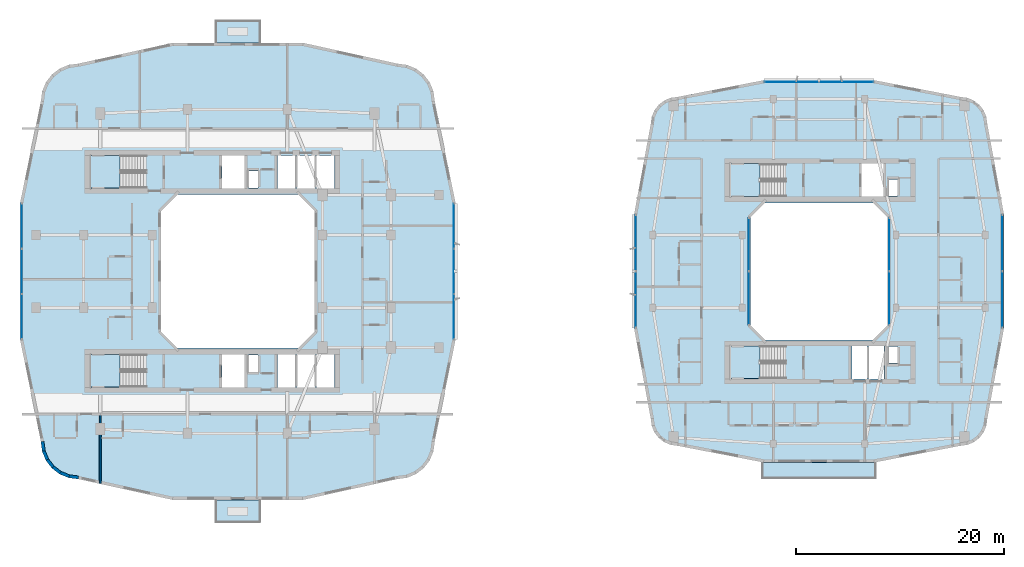
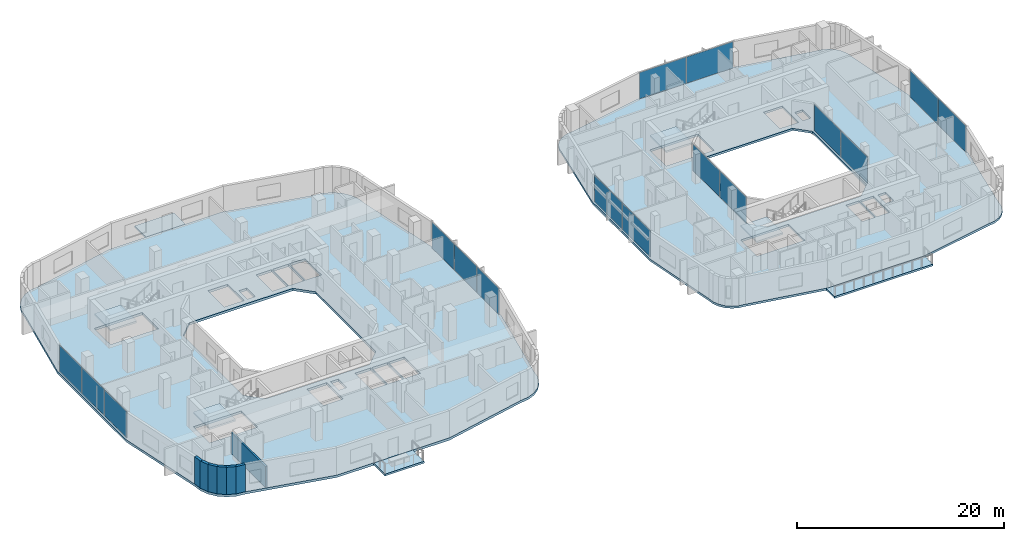
# One storey, part 8 of 24: 16 plates, 9 slabs, 7 walls, 11 elements without a shape of their own.
"""IFC4 building model written with IfcOpenShell, lengths in metres."""

import ifcopenshell
import ifcopenshell.guid

model = None  # the IFC model being written
_history = None  # IfcOwnerHistory: only IFC2X3 demands one
_inside = {}  # id of a spatial element -> (the spatial element, [elements in it])
_under = {}  # id of a project, library or spatial element -> (it, [spatial elements below it])
_declared = {}  # id of a project -> (the project, [libraries it declares])
_typed = {}  # id of a type object -> (the type object, [elements of that type])
_made_of = {}  # id of a material, layer set ... -> (it, [elements and type objects made of it])


def new_model(schema):
    """Start an empty IFC model of exactly this schema.

    Asked for "IFC4X3", IfcOpenShell would pick the latest addendum, in which some entities
    have other attributes; the version numbers below select the first issue.
    IFC2X3 requires an IfcOwnerHistory on every rooted entity: one is made here for all.
    """
    global model, _history
    if schema == "IFC4X3":
        model = ifcopenshell.file(schema_version=(4, 3, 0, 0))
    else:
        model = ifcopenshell.file(schema=schema)
    _inside.clear()
    _under.clear()
    _declared.clear()
    _typed.clear()
    _made_of.clear()
    _history = None
    if model.schema == "IFC2X3":
        org = make("IfcOrganization", Name="unknown")
        user = make(
            "IfcPersonAndOrganization",
            ThePerson=make("IfcPerson", FamilyName="unknown"),
            TheOrganization=org,
        )
        app = make(
            "IfcApplication",
            ApplicationDeveloper=org,
            Version="unknown",
            ApplicationFullName="unknown",
            ApplicationIdentifier="unknown",
        )
        _history = make(
            "IfcOwnerHistory",
            OwningUser=user,
            OwningApplication=app,
            ChangeAction="ADDED",
            CreationDate=0,
        )
    return model


def make(cls, **values):
    """One entity of the class cls with the attributes given. An attribute that is None is left unset."""
    return model.create_entity(
        cls, **{name: value for name, value in values.items() if value is not None}
    )


def rooted(cls, **values):
    """An entity with a GlobalId (a new one), such as an element, a storey or a relation."""
    return make(cls, GlobalId=ifcopenshell.guid.new(), OwnerHistory=_history, **values)


def si_unit(unit_type, name, prefix=None):
    """IfcSIUnit, for example si_unit("LENGTHUNIT", "METRE", prefix="MILLI")."""
    return make("IfcSIUnit", UnitType=unit_type, Prefix=prefix, Name=name)


def derived_unit(unit_type, elements):
    """IfcDerivedUnit: a product of units, each with its exponent."""
    return make(
        "IfcDerivedUnit",
        Elements=[
            make("IfcDerivedUnitElement", Unit=unit, Exponent=power)
            for unit, power in elements
        ],
        UnitType=unit_type,
    )


def assignment(units):
    """IfcUnitAssignment: the units of a project."""
    return None if units is None else make("IfcUnitAssignment", Units=units)


def point(xyz):
    """IfcCartesianPoint."""
    return None if xyz is None else make("IfcCartesianPoint", Coordinates=xyz)


def direction(xyz):
    """IfcDirection."""
    return None if xyz is None else make("IfcDirection", DirectionRatios=xyz)


def frame(location, z_axis=None, x_axis=None):
    """IfcAxis2Placement3D, a coordinate frame: its origin and axes. An axis left out is left unset."""
    return make(
        "IfcAxis2Placement3D",
        Location=point(location),
        Axis=direction(z_axis),
        RefDirection=direction(x_axis),
    )


def frame_2d(location, x_axis=None):
    """IfcAxis2Placement2D, a coordinate frame in the plane: its origin and x axis."""
    return make(
        "IfcAxis2Placement2D", Location=point(location), RefDirection=direction(x_axis)
    )


def origin():
    """The frame at (0, 0, 0) with its axes left unset."""
    return frame((0.0, 0.0, 0.0))


def origin_2d():
    """The frame at (0, 0) in the plane with its x axis left unset."""
    return frame_2d((0.0, 0.0))


def place(relative_to, where):
    """IfcLocalPlacement: puts the frame where relative to a parent placement (None: the world)."""
    return make(
        "IfcLocalPlacement", PlacementRelTo=relative_to, RelativePlacement=where
    )


def context(
    kind, dimensions, precision=None, world=None, true_north=None, identifier=None
):
    """IfcGeometricRepresentationContext, for example the 3D "Model" context."""
    return make(
        "IfcGeometricRepresentationContext",
        ContextIdentifier=identifier,
        ContextType=kind,
        CoordinateSpaceDimension=dimensions,
        Precision=precision,
        WorldCoordinateSystem=world,
        TrueNorth=true_north,
    )


def subcontext(parent, identifier, kind, view, scale=None):
    """IfcGeometricRepresentationSubContext, for example "Body" below "Model"."""
    return make(
        "IfcGeometricRepresentationSubContext",
        ContextIdentifier=identifier,
        ContextType=kind,
        ParentContext=parent,
        TargetScale=scale,
        TargetView=view,
    )


def project(units=None, contexts=None):
    """IfcProject with its units and contexts."""
    return rooted(
        "IfcProject",
        Name="project",
        RepresentationContexts=contexts,
        UnitsInContext=assignment(units),
    )


def spatial(cls, under=None, at=None, **own):
    """A site, building, storey or space (cls), placed at a placement, below another one or the project."""
    s = rooted(cls, ObjectPlacement=at, **own)
    if under is not None:
        _under.setdefault(under.id(), (under, []))[1].append(s)
    return s


def polyline(points):
    """IfcPolyline through the points."""
    return make("IfcPolyline", Points=[point(p) for p in points])


def profile(cls, at=None, kind="AREA", **sizes):
    """A parametric profile (cls). Its sizes go by their IFC names, for example OverallWidth=200.0."""
    return make(cls, ProfileType=kind, Position=at, **sizes)


def rectangle(**sizes):
    """IfcRectangleProfileDef."""
    return profile("IfcRectangleProfileDef", **sizes)


def outline(outer, holes=None, kind="AREA"):
    """IfcArbitraryClosedProfileDef: a profile drawn as a closed curve; with holes, ...WithVoids."""
    if holes is None:
        return make("IfcArbitraryClosedProfileDef", ProfileType=kind, OuterCurve=outer)
    return make(
        "IfcArbitraryProfileDefWithVoids",
        ProfileType=kind,
        OuterCurve=outer,
        InnerCurves=holes,
    )


def extrude(swept, where, along, depth):
    """IfcExtrudedAreaSolid: the profile swept, set in the frame where, extruded along a direction by depth."""
    return make(
        "IfcExtrudedAreaSolid",
        SweptArea=swept,
        Position=where,
        ExtrudedDirection=direction(along),
        Depth=depth,
    )


def shape(context_of_items, identifier, shape_type, items):
    """IfcShapeRepresentation: the items that make up one representation, for example the "Body"."""
    return make(
        "IfcShapeRepresentation",
        ContextOfItems=context_of_items,
        RepresentationIdentifier=identifier,
        RepresentationType=shape_type,
        Items=items,
    )


def material(Name=None, Category=None):
    """IfcMaterial."""
    return make("IfcMaterial", Name=Name, Category=Category)


def layer(
    of_material, thickness, ventilated=None, Name=None, Category=None, Priority=None
):
    """IfcMaterialLayer: one layer of a wall or slab, of a material (None: an air gap)."""
    return make(
        "IfcMaterialLayer",
        Material=of_material,
        LayerThickness=thickness,
        IsVentilated=ventilated,
        Name=Name,
        Category=Category,
        Priority=Priority,
    )


def layer_set(layers, Name=None):
    """IfcMaterialLayerSet."""
    return make("IfcMaterialLayerSet", MaterialLayers=layers, LayerSetName=Name)


def made_of(thing, what):
    """Note that an element or type object is made of a material, layer set ...; save() writes the relation."""
    if what is not None:
        _made_of.setdefault(what.id(), (what, []))[1].append(thing)
    return thing


def type_object(cls, material=None, **own):
    """A type object (cls), such as IfcWallType, which elements share."""
    return made_of(rooted(cls, **own), material)


def element(
    cls,
    number,
    at=None,
    inside=None,
    cuts=None,
    type_object=None,
    material=None,
    context=None,
    identifier="Body",
    shape_type=None,
    held_by="IfcProductDefinitionShape",
    body=None,
    shapes=None,
    **own,
):
    """One element of the class cls, such as IfcWall. Its Tag is "e" and its number.

    at: its placement. inside: the storey or other place that contains it. cuts: it is an
    opening in that element (IfcRelVoidsElement). A single representation is given by context,
    identifier, shape_type and body (its items); several are given by shapes. held_by: the class
    of the entity that holds the representations. save() writes the other relations.
    """
    e = rooted(cls, Tag="e%d" % number, ObjectPlacement=at, **own)
    if body is not None:
        shapes = [shape(context, identifier, shape_type, body)]
    if shapes is not None:
        e.Representation = make(held_by, Representations=shapes)
    if inside is not None:
        _inside.setdefault(inside.id(), (inside, []))[1].append(e)
    if cuts is not None:
        rooted(
            "IfcRelVoidsElement", RelatingBuildingElement=cuts, RelatedOpeningElement=e
        )
    if type_object is not None:
        _typed.setdefault(type_object.id(), (type_object, []))[1].append(e)
    return made_of(e, material)


def aggregate(whole, parts):
    """IfcRelAggregates: a whole, such as a stair, and the parts it consists of."""
    return rooted("IfcRelAggregates", RelatingObject=whole, RelatedObjects=parts)


def save(model, path):
    """Write the relations noted so far, then the file.

    IfcRelAggregates (storeys below a building ...), IfcRelContainedInSpatialStructure (elements
    in a storey), IfcRelDefinesByType, IfcRelAssociatesMaterial and IfcRelDeclares: one each for
    every whole, place, type object, material and project.
    """
    for whole, parts in _under.values():
        aggregate(whole, parts)
    for where, things in _inside.values():
        rooted(
            "IfcRelContainedInSpatialStructure",
            RelatedElements=things,
            RelatingStructure=where,
        )
    for kind, things in _typed.values():
        rooted("IfcRelDefinesByType", RelatedObjects=things, RelatingType=kind)
    for what, things in _made_of.values():
        rooted("IfcRelAssociatesMaterial", RelatedObjects=things, RelatingMaterial=what)
    for by, libraries in _declared.values():
        rooted("IfcRelDeclares", RelatingContext=by, RelatedDefinitions=libraries)
    model.write(path)


model = new_model("IFC4")

# Units and contexts
model_context = context("Model", 3, precision=1e-05, world=origin(), true_north=direction((0.0, 1.0)))
body_context = subcontext(model_context, "Body", "Model", "MODEL_VIEW")
ifc_project = project(units=[si_unit("LENGTHUNIT", "METRE"), si_unit("AREAUNIT", "SQUARE_METRE"), si_unit("VOLUMEUNIT", "CUBIC_METRE"), si_unit("PLANEANGLEUNIT", "RADIAN"), si_unit("MASSUNIT", "GRAM", prefix="KILO"), derived_unit("THERMALTRANSMITTANCEUNIT", [(si_unit("POWERUNIT", "WATT"), 1), (si_unit("LENGTHUNIT", "METRE"), -2), (si_unit("THERMODYNAMICTEMPERATUREUNIT", "KELVIN"), -1)])], contexts=[model_context])

# Site, building, storey
site_placement = place(None, origin())
site = spatial("IfcSite", under=ifc_project, at=site_placement, CompositionType="ELEMENT")
building_placement = place(site_placement, origin())
building = spatial("IfcBuilding", under=site, at=building_placement, Name="Kivonza Crest Hotel", CompositionType="ELEMENT")
storey_placement = place(building_placement, frame((0.0, 0.0, 80.0)))
storey = spatial("IfcBuildingStorey", under=building, at=storey_placement, Name="L21", CompositionType="ELEMENT", Elevation=80.0)

# Curtain wall, plates
ifc_material_1 = material(Name="Anodised bronze aluminium and low-E double glazing", Category="aluminium")
ifc_layer_1 = layer(ifc_material_1, 0.179931640625)
ifc_layer_set_1 = layer_set([ifc_layer_1], Name="Anodised bronze aluminium and low-E double glazing")
curtain_wall_type_1 = type_object("IfcCurtainWallType", Name="CW-SYS-2", PredefinedType="NOTDEFINED", material=ifc_layer_set_1)
curtain_wall_1_placement = place(storey_placement, origin())
curtain_wall_1 = element("IfcCurtainWall", 1, at=curtain_wall_1_placement, inside=storey, type_object=curtain_wall_type_1, Name="L21 unitised curtain wall CW-T1-L21-17", PredefinedType="NOTDEFINED")
ifc_material_2 = material(Name="Solar-control low-E double glazing", Category="glass")
ifc_layer_2 = layer(ifc_material_2, 0.028076171875)
ifc_layer_set_2 = layer_set([ifc_layer_2], Name="Solar-control low-E double glazing")
plate_type = type_object("IfcPlateType", Name="CW-PNL-28", PredefinedType="CURTAIN_PANEL", material=ifc_layer_set_2)
plate_1_placement = place(storey_placement, frame((41.840087890625, 20.642822265625, 0.06494140625), z_axis=(0.0, 0.0, 1.0), x_axis=(0.0, 1.0, 0.0)))
plate_1 = element("IfcPlate", 2, at=plate_1_placement, type_object=plate_type, Name="CW-2 panel 1.1", PredefinedType="CURTAIN_PANEL", context=body_context, shape_type="SweptSolid", body=[
    extrude(rectangle(XDim=4.27587890625, YDim=0.028076171875, at=origin_2d()), origin(), (0.0, 0.0, 1.0), 3.090087890625),
])
plate_2_placement = place(storey_placement, frame((41.840087890625, 25.0, 0.06494140625), z_axis=(0.0, 0.0, 1.0), x_axis=(0.0, 1.0, 0.0)))
plate_2 = element("IfcPlate", 3, at=plate_2_placement, type_object=plate_type, Name="CW-2 panel 2.1", PredefinedType="CURTAIN_PANEL", context=body_context, shape_type="SweptSolid", body=[
    extrude(rectangle(XDim=4.308349609375, YDim=0.028076171875, at=origin_2d()), origin(), (0.0, 0.0, 1.0), 3.090087890625),
])
plate_3_placement = place(storey_placement, frame((41.840087890625, 29.357177734375, 0.06494140625), z_axis=(0.0, 0.0, 1.0), x_axis=(0.0, 1.0, 0.0)))
plate_3 = element("IfcPlate", 4, at=plate_3_placement, type_object=plate_type, Name="CW-2 panel 3.1", PredefinedType="CURTAIN_PANEL", context=body_context, shape_type="SweptSolid", body=[
    extrude(rectangle(XDim=4.27587890625, YDim=0.028076171875, at=origin_2d()), origin(), (0.0, 0.0, 1.0), 3.090087890625),
])
aggregate(curtain_wall_1, [plate_1, plate_2, plate_3])

curtain_wall_2_placement = place(storey_placement, origin())
curtain_wall_2 = element("IfcCurtainWall", 5, at=curtain_wall_2_placement, inside=storey, type_object=curtain_wall_type_1, Name="L21 unitised curtain wall CW-T1-L21-35", PredefinedType="NOTDEFINED")
plate_4_placement = place(storey_placement, frame((0.239990234375, 29.357177734375, 0.06494140625), z_axis=(0.0, 0.0, 1.0), x_axis=(0.0, -1.0, 0.0)))
plate_4 = element("IfcPlate", 6, at=plate_4_placement, type_object=plate_type, Name="CW-2 panel 1.1", PredefinedType="CURTAIN_PANEL", context=body_context, shape_type="SweptSolid", body=[
    extrude(rectangle(XDim=4.27587890625, YDim=0.028076171875, at=origin_2d()), origin(), (0.0, 0.0, 1.0), 3.090087890625),
])
plate_5_placement = place(storey_placement, frame((0.239990234375, 25.0, 0.06494140625), z_axis=(0.0, 0.0, 1.0), x_axis=(0.0, -1.0, 0.0)))
plate_5 = element("IfcPlate", 7, at=plate_5_placement, type_object=plate_type, Name="CW-2 panel 2.1", PredefinedType="CURTAIN_PANEL", context=body_context, shape_type="SweptSolid", body=[
    extrude(rectangle(XDim=4.308349609375, YDim=0.028076171875, at=origin_2d()), origin(), (0.0, 0.0, 1.0), 3.090087890625),
])
plate_6_placement = place(storey_placement, frame((0.239990234375, 20.642822265625, 0.06494140625), z_axis=(0.0, 0.0, 1.0), x_axis=(0.0, -1.0, 0.0)))
plate_6 = element("IfcPlate", 8, at=plate_6_placement, type_object=plate_type, Name="CW-2 panel 3.1", PredefinedType="CURTAIN_PANEL", context=body_context, shape_type="SweptSolid", body=[
    extrude(rectangle(XDim=4.27587890625, YDim=0.028076171875, at=origin_2d()), origin(), (0.0, 0.0, 1.0), 3.090087890625),
])
aggregate(curtain_wall_2, [plate_4, plate_5, plate_6])

ifc_layer_3 = layer(ifc_material_1, 0.179931640625)
ifc_layer_set_3 = layer_set([ifc_layer_3], Name="Anodised bronze aluminium and low-E double glazing")
curtain_wall_type_2 = type_object("IfcCurtainWallType", Name="CW-SYS-4", PredefinedType="NOTDEFINED", material=ifc_layer_set_3)
curtain_wall_3_placement = place(storey_placement, origin())
curtain_wall_3 = element("IfcCurtainWall", 9, at=curtain_wall_3_placement, inside=storey, type_object=curtain_wall_type_2, Name="L21 unitised curtain wall CW-T2-L21-17", PredefinedType="NOTDEFINED")
plate_7_placement = place(storey_placement, frame((94.639892578125, 22.2763671875, 0.06494140625), z_axis=(0.0, 0.0, 1.0), x_axis=(0.0, 1.0, 0.0)))
plate_7 = element("IfcPlate", 10, at=plate_7_placement, type_object=plate_type, Name="CW-4 panel 1.1", PredefinedType="CURTAIN_PANEL", context=body_context, shape_type="SweptSolid", body=[
    extrude(rectangle(XDim=5.382568359375, YDim=0.028076171875, at=origin_2d()), origin(), (0.0, 0.0, 1.0), 3.1201171875),
])
plate_8_placement = place(storey_placement, frame((94.639892578125, 27.7236328125, 0.06494140625), z_axis=(0.0, 0.0, 1.0), x_axis=(0.0, 1.0, 0.0)))
plate_8 = element("IfcPlate", 11, at=plate_8_placement, type_object=plate_type, Name="CW-4 panel 2.1", PredefinedType="CURTAIN_PANEL", context=body_context, shape_type="SweptSolid", body=[
    extrude(rectangle(XDim=5.382568359375, YDim=0.028076171875, at=origin_2d()), origin(), (0.0, 0.0, 1.0), 3.1201171875),
])
aggregate(curtain_wall_3, [plate_7, plate_8])

curtain_wall_4_placement = place(storey_placement, origin())
curtain_wall_4 = element("IfcCurtainWall", 12, at=curtain_wall_4_placement, inside=storey, type_object=curtain_wall_type_2, Name="L21 unitised curtain wall CW-T2-L21-26", PredefinedType="NOTDEFINED")
plate_9_placement = place(storey_placement, frame((79.6337890625, 43.239990234375, 0.06494140625), z_axis=(0.0, 0.0, 1.0), x_axis=(-1.0, 0.0, 0.0)))
plate_9 = element("IfcPlate", 13, at=plate_9_placement, type_object=plate_type, Name="CW-4 panel 1.1", PredefinedType="CURTAIN_PANEL", context=body_context, shape_type="SweptSolid", body=[
    extrude(rectangle(XDim=5.202392578125, YDim=0.028076171875, at=origin_2d()), origin(), (0.0, 0.0, 1.0), 3.1201171875),
])
plate_10_placement = place(storey_placement, frame((74.3662109375, 43.239990234375, 0.06494140625), z_axis=(0.0, 0.0, 1.0), x_axis=(-1.0, 0.0, 0.0)))
plate_10 = element("IfcPlate", 14, at=plate_10_placement, type_object=plate_type, Name="CW-4 panel 2.1", PredefinedType="CURTAIN_PANEL", context=body_context, shape_type="SweptSolid", body=[
    extrude(rectangle(XDim=5.202392578125, YDim=0.028076171875, at=origin_2d()), origin(), (0.0, 0.0, 1.0), 3.1201171875),
])
aggregate(curtain_wall_4, [plate_9, plate_10])

curtain_wall_5_placement = place(storey_placement, origin())
curtain_wall_5 = element("IfcCurtainWall", 15, at=curtain_wall_5_placement, inside=storey, type_object=curtain_wall_type_2, Name="L21 unitised curtain wall CW-T2-L21-35", PredefinedType="NOTDEFINED")
plate_11_placement = place(storey_placement, frame((59.360107421875, 27.7236328125, 0.06494140625), z_axis=(0.0, 0.0, 1.0), x_axis=(0.0, -1.0, 0.0)))
plate_11 = element("IfcPlate", 16, at=plate_11_placement, type_object=plate_type, Name="CW-4 panel 1.1", PredefinedType="CURTAIN_PANEL", context=body_context, shape_type="SweptSolid", body=[
    extrude(rectangle(XDim=5.382568359375, YDim=0.028076171875, at=origin_2d()), origin(), (0.0, 0.0, 1.0), 3.1201171875),
])
plate_12_placement = place(storey_placement, frame((59.360107421875, 22.2763671875, 0.06494140625), z_axis=(0.0, 0.0, 1.0), x_axis=(0.0, -1.0, 0.0)))
plate_12 = element("IfcPlate", 17, at=plate_12_placement, type_object=plate_type, Name="CW-4 panel 2.1", PredefinedType="CURTAIN_PANEL", context=body_context, shape_type="SweptSolid", body=[
    extrude(rectangle(XDim=5.382568359375, YDim=0.028076171875, at=origin_2d()), origin(), (0.0, 0.0, 1.0), 3.1201171875),
])
aggregate(curtain_wall_5, [plate_11, plate_12])

ifc_layer_4 = layer(ifc_material_1, 0.159912109375)
ifc_layer_set_4 = layer_set([ifc_layer_4], Name="Anodised bronze aluminium and low-E double glazing")
curtain_wall_type_3 = type_object("IfcCurtainWallType", Name="CW-SYS-5", PredefinedType="NOTDEFINED", material=ifc_layer_set_4)
curtain_wall_6_placement = place(storey_placement, origin())
curtain_wall_6 = element("IfcCurtainWall", 18, at=curtain_wall_6_placement, inside=storey, type_object=curtain_wall_type_3, Name="L21 unitised curtain wall CW-WELL-T2-L21-3", PredefinedType="NOTDEFINED")
plate_13_placement = place(storey_placement, frame((83.760009765625, 22.416259765625, 0.06494140625), z_axis=(0.0, 0.0, 1.0), x_axis=(0.0, 1.0, 0.0)))
plate_13 = element("IfcPlate", 19, at=plate_13_placement, type_object=plate_type, Name="CW-5 panel 1.1", PredefinedType="CURTAIN_PANEL", context=body_context, shape_type="SweptSolid", body=[
    extrude(rectangle(XDim=5.1025390625, YDim=0.028076171875, at=origin_2d()), origin(), (0.0, 0.0, 1.0), 3.1201171875),
])
plate_14_placement = place(storey_placement, frame((83.760009765625, 27.583740234375, 0.06494140625), z_axis=(0.0, 0.0, 1.0), x_axis=(0.0, 1.0, 0.0)))
plate_14 = element("IfcPlate", 20, at=plate_14_placement, type_object=plate_type, Name="CW-5 panel 2.1", PredefinedType="CURTAIN_PANEL", context=body_context, shape_type="SweptSolid", body=[
    extrude(rectangle(XDim=5.1025390625, YDim=0.028076171875, at=origin_2d()), origin(), (0.0, 0.0, 1.0), 3.1201171875),
])
aggregate(curtain_wall_6, [plate_13, plate_14])

curtain_wall_7_placement = place(storey_placement, origin())
curtain_wall_7 = element("IfcCurtainWall", 21, at=curtain_wall_7_placement, inside=storey, type_object=curtain_wall_type_3, Name="L21 unitised curtain wall CW-WELL-T2-L21-7", PredefinedType="NOTDEFINED")
plate_15_placement = place(storey_placement, frame((70.239990234375, 27.583740234375, 0.06494140625), z_axis=(0.0, 0.0, 1.0), x_axis=(0.0, -1.0, 0.0)))
plate_15 = element("IfcPlate", 22, at=plate_15_placement, type_object=plate_type, Name="CW-5 panel 1.1", PredefinedType="CURTAIN_PANEL", context=body_context, shape_type="SweptSolid", body=[
    extrude(rectangle(XDim=5.1025390625, YDim=0.028076171875, at=origin_2d()), origin(), (0.0, 0.0, 1.0), 3.1201171875),
])
plate_16_placement = place(storey_placement, frame((70.239990234375, 22.416259765625, 0.06494140625), z_axis=(0.0, 0.0, 1.0), x_axis=(0.0, -1.0, 0.0)))
plate_16 = element("IfcPlate", 23, at=plate_16_placement, type_object=plate_type, Name="CW-5 panel 2.1", PredefinedType="CURTAIN_PANEL", context=body_context, shape_type="SweptSolid", body=[
    extrude(rectangle(XDim=5.1025390625, YDim=0.028076171875, at=origin_2d()), origin(), (0.0, 0.0, 1.0), 3.1201171875),
])
aggregate(curtain_wall_7, [plate_15, plate_16])

# Slab
ifc_material_3 = material(Name="Concrete C40/50", Category="concrete")
ifc_layer_5 = layer(ifc_material_3, 0.280029296875)
ifc_layer_set_5 = layer_set([ifc_layer_5], Name="Concrete C40/50")
slab_type_1 = type_object("IfcSlabType", Name="SL-HTL-280", PredefinedType="FLOOR", material=ifc_layer_set_5)
slab_1_placement = place(storey_placement, frame((0.0, 0.0, -0.280029296875)))
element("IfcSlab", 24, at=slab_1_placement, inside=storey, type_object=slab_type_1, Name="Tower T1 L21 floor slab", PredefinedType="FLOOR", context=body_context, shape_type="SweptSolid", body=[
    extrude(outline(polyline([(2.080078125, 8.60009765625), (2.202880859375, 7.66796875), (2.56201171875, 6.800048828125), (3.134033203125, 6.053955078125), (3.8798828125, 5.48193359375), (4.748046875, 5.123046875), (5.679931640625, 5.0), (14.751953125, 3.0), (27.327880859375, 3.0), (36.39990234375, 5.0), (37.33203125, 5.123046875), (38.199951171875, 5.48193359375), (38.946044921875, 6.053955078125), (39.51806640625, 6.800048828125), (39.876953125, 7.66796875), (40.0, 8.60009765625), (42.0, 18.39990234375), (42.0, 31.60009765625), (40.0, 41.39990234375), (39.876953125, 42.33203125), (39.51806640625, 43.199951171875), (38.946044921875, 43.946044921875), (38.199951171875, 44.51806640625), (37.33203125, 44.876953125), (36.39990234375, 45.0), (27.327880859375, 47.0), (14.751953125, 47.0), (5.679931640625, 45.0), (4.748046875, 44.876953125), (3.8798828125, 44.51806640625), (3.134033203125, 43.946044921875), (2.56201171875, 43.199951171875), (2.202880859375, 42.33203125), (2.080078125, 41.39990234375), (0.080078125, 31.60009765625), (0.080078125, 18.39990234375), (2.080078125, 8.60009765625)]), holes=[polyline([(15.239990234375, 17.60009765625), (26.840087890625, 17.60009765625), (28.43994140625, 19.199951171875), (28.43994140625, 30.800048828125), (26.840087890625, 32.39990234375), (15.239990234375, 32.39990234375), (13.639892578125, 30.800048828125), (13.639892578125, 19.199951171875), (15.239990234375, 17.60009765625)]), polyline([(6.800048828125, 33.02001953125), (12.159912109375, 33.02001953125), (12.159912109375, 36.159912109375), (6.800048828125, 36.159912109375), (6.800048828125, 33.02001953125)]), polyline([(6.800048828125, 13.860107421875), (12.159912109375, 13.860107421875), (12.159912109375, 17.0), (6.800048828125, 17.0), (6.800048828125, 13.860107421875)]), polyline([(22.080078125, 33.0400390625), (22.969970703125, 33.0400390625), (22.969970703125, 34.679931640625), (22.080078125, 34.679931640625), (22.080078125, 33.0400390625)]), polyline([(22.080078125, 15.320068359375), (22.969970703125, 15.320068359375), (22.969970703125, 16.9599609375), (22.080078125, 16.9599609375), (22.080078125, 15.320068359375)]), polyline([(19.5, 33.0), (21.699951171875, 33.0), (21.699951171875, 36.159912109375), (19.5, 36.159912109375), (19.5, 33.0)]), polyline([(24.860107421875, 33.0), (26.60693359375, 33.0), (26.60693359375, 36.159912109375), (24.860107421875, 36.159912109375), (24.860107421875, 33.0)]), polyline([(26.72705078125, 33.0), (28.472900390625, 33.0), (28.472900390625, 36.159912109375), (26.72705078125, 36.159912109375), (26.72705078125, 33.0)]), polyline([(28.593017578125, 33.0), (30.340087890625, 33.0), (30.340087890625, 36.159912109375), (28.593017578125, 36.159912109375), (28.593017578125, 33.0)]), polyline([(19.5, 13.840087890625), (21.699951171875, 13.840087890625), (21.699951171875, 17.0), (19.5, 17.0), (19.5, 13.840087890625)]), polyline([(24.860107421875, 13.840087890625), (26.60693359375, 13.840087890625), (26.60693359375, 17.0), (24.860107421875, 17.0), (24.860107421875, 13.840087890625)]), polyline([(26.72705078125, 13.840087890625), (28.472900390625, 13.840087890625), (28.472900390625, 17.0), (26.72705078125, 17.0), (26.72705078125, 13.840087890625)]), polyline([(28.593017578125, 13.840087890625), (30.340087890625, 13.840087890625), (30.340087890625, 17.0), (28.593017578125, 17.0), (28.593017578125, 13.840087890625)])]), origin(), (0.0, 0.0, 1.0), 0.280029296875),
])

# Stair, slab
stair_type = type_object("IfcStairType", Name="ST-DL-20R", PredefinedType="HALF_TURN_STAIR", material=ifc_material_3)
stair_1_placement = place(storey_placement, origin())
stair_1 = element("IfcStair", 25, at=stair_1_placement, inside=storey, type_object=stair_type, Name="L21 Protected Exit Stair ST-T1-N", PredefinedType="HALF_TURN_STAIR")
ifc_layer_6 = layer(ifc_material_3, 0.199951171875)
ifc_layer_set_6 = layer_set([ifc_layer_6], Name="Concrete C40/50")
slab_type_2 = type_object("IfcSlabType", Name="SL-LAND-200", PredefinedType="LANDING", material=ifc_layer_set_6)
slab_2_placement = place(storey_placement, frame((0.0, 0.0, 1.550048828125)))
slab_2 = element("IfcSlab", 26, at=slab_2_placement, type_object=slab_type_2, Name="ST-T1-N landing 1", PredefinedType="LANDING", context=body_context, shape_type="SweptSolid", body=[
    extrude(outline(polyline([(9.719970703125, 36.159912109375), (6.800048828125, 36.159912109375), (6.800048828125, 33.02001953125), (9.719970703125, 33.02001953125), (9.719970703125, 36.159912109375)])), origin(), (0.0, 0.0, 1.0), 0.199951171875),
])
aggregate(stair_1, [slab_2])

stair_2_placement = place(storey_placement, origin())
stair_2 = element("IfcStair", 27, at=stair_2_placement, inside=storey, type_object=stair_type, Name="L21 Protected Exit Stair ST-T1-S", PredefinedType="HALF_TURN_STAIR")
slab_3_placement = place(storey_placement, frame((0.0, 0.0, 1.550048828125)))
slab_3 = element("IfcSlab", 28, at=slab_3_placement, type_object=slab_type_2, Name="ST-T1-S landing 1", PredefinedType="LANDING", context=body_context, shape_type="SweptSolid", body=[
    extrude(outline(polyline([(9.719970703125, 17.0), (6.800048828125, 17.0), (6.800048828125, 13.860107421875), (9.719970703125, 13.860107421875), (9.719970703125, 17.0)])), origin(), (0.0, 0.0, 1.0), 0.199951171875),
])
aggregate(stair_2, [slab_3])

stair_3_placement = place(storey_placement, origin())
stair_3 = element("IfcStair", 29, at=stair_3_placement, inside=storey, type_object=stair_type, Name="L21 Protected Exit Stair ST-T2-N", PredefinedType="HALF_TURN_STAIR")
slab_4_placement = place(storey_placement, frame((0.0, 0.0, 1.550048828125)))
slab_4 = element("IfcSlab", 30, at=slab_4_placement, type_object=slab_type_2, Name="ST-T2-N landing 1", PredefinedType="LANDING", context=body_context, shape_type="SweptSolid", body=[
    extrude(outline(polyline([(71.320068359375, 35.360107421875), (68.39990234375, 35.360107421875), (68.39990234375, 32.219970703125), (71.320068359375, 32.219970703125), (71.320068359375, 35.360107421875)])), origin(), (0.0, 0.0, 1.0), 0.199951171875),
])
aggregate(stair_3, [slab_4])

stair_4_placement = place(storey_placement, origin())
stair_4 = element("IfcStair", 31, at=stair_4_placement, inside=storey, type_object=stair_type, Name="L21 Protected Exit Stair ST-T2-S", PredefinedType="HALF_TURN_STAIR")
slab_5_placement = place(storey_placement, frame((0.0, 0.0, 1.550048828125)))
slab_5 = element("IfcSlab", 32, at=slab_5_placement, type_object=slab_type_2, Name="ST-T2-S landing 1", PredefinedType="LANDING", context=body_context, shape_type="SweptSolid", body=[
    extrude(outline(polyline([(71.320068359375, 17.800048828125), (68.39990234375, 17.800048828125), (68.39990234375, 14.659912109375), (71.320068359375, 14.659912109375), (71.320068359375, 17.800048828125)])), origin(), (0.0, 0.0, 1.0), 0.199951171875),
])
aggregate(stair_4, [slab_5])

# Slabs
ifc_layer_7 = layer(ifc_material_3, 0.25)
ifc_layer_set_7 = layer_set([ifc_layer_7], Name="Concrete C40/50")
slab_type_3 = type_object("IfcSlabType", Name="SL-RES-250", PredefinedType="FLOOR", material=ifc_layer_set_7)
slab_6_placement = place(storey_placement, frame((0.0, 0.0, -0.25)))
element("IfcSlab", 33, at=slab_6_placement, inside=storey, type_object=slab_type_3, Name="Companion Tower T2 L21 floor slab", PredefinedType="FLOOR", context=body_context, shape_type="SweptSolid", body=[
    extrude(outline(polyline([(60.800048828125, 10.800048828125), (60.888916015625, 10.126953125), (61.14794921875, 9.5), (61.56201171875, 8.9619140625), (62.10009765625, 8.548095703125), (62.72705078125, 8.2890625), (63.39990234375, 8.199951171875), (71.659912109375, 6.60009765625), (82.340087890625, 6.60009765625), (90.60009765625, 8.199951171875), (91.27294921875, 8.2890625), (91.89990234375, 8.548095703125), (92.43798828125, 8.9619140625), (92.85205078125, 9.5), (93.111083984375, 10.126953125), (93.199951171875, 10.800048828125), (94.800048828125, 19.47998046875), (94.800048828125, 30.52001953125), (93.199951171875, 39.199951171875), (93.111083984375, 39.873046875), (92.85205078125, 40.5), (92.43798828125, 41.0380859375), (91.89990234375, 41.451904296875), (91.27294921875, 41.7109375), (90.60009765625, 41.800048828125), (82.340087890625, 43.39990234375), (71.659912109375, 43.39990234375), (63.39990234375, 41.800048828125), (62.72705078125, 41.7109375), (62.10009765625, 41.451904296875), (61.56201171875, 41.0380859375), (61.14794921875, 40.5), (60.888916015625, 39.873046875), (60.800048828125, 39.199951171875), (59.199951171875, 30.52001953125), (59.199951171875, 19.47998046875), (60.800048828125, 10.800048828125)]), holes=[polyline([(71.800048828125, 18.39990234375), (82.199951171875, 18.39990234375), (83.60009765625, 19.800048828125), (83.60009765625, 30.199951171875), (82.199951171875, 31.60009765625), (71.800048828125, 31.60009765625), (70.39990234375, 30.199951171875), (70.39990234375, 19.800048828125), (71.800048828125, 18.39990234375)]), polyline([(68.39990234375, 32.219970703125), (73.760009765625, 32.219970703125), (73.760009765625, 35.360107421875), (68.39990234375, 35.360107421875), (68.39990234375, 32.219970703125)]), polyline([(68.39990234375, 14.659912109375), (73.760009765625, 14.659912109375), (73.760009765625, 17.800048828125), (68.39990234375, 17.800048828125), (68.39990234375, 14.659912109375)]), polyline([(83.679931640625, 32.239990234375), (84.570068359375, 32.239990234375), (84.570068359375, 33.820068359375), (83.679931640625, 33.820068359375), (83.679931640625, 32.239990234375)]), polyline([(83.679931640625, 16.179931640625), (84.570068359375, 16.179931640625), (84.570068359375, 17.760009765625), (83.679931640625, 17.760009765625), (83.679931640625, 16.179931640625)]), polyline([(81.10009765625, 32.199951171875), (83.199951171875, 32.199951171875), (83.199951171875, 35.360107421875), (81.10009765625, 35.360107421875), (81.10009765625, 32.199951171875)]), polyline([(80.159912109375, 14.639892578125), (81.639892578125, 14.639892578125), (81.639892578125, 17.800048828125), (80.159912109375, 17.800048828125), (80.159912109375, 14.639892578125)]), polyline([(81.760009765625, 14.639892578125), (83.239990234375, 14.639892578125), (83.239990234375, 17.800048828125), (81.760009765625, 17.800048828125), (81.760009765625, 14.639892578125)])]), origin(), (0.0, 0.0, 1.0), 0.25),
])
ifc_layer_8 = layer(ifc_material_3, 0.219970703125)
ifc_layer_set_8 = layer_set([ifc_layer_8], Name="Concrete C40/50")
slab_type_4 = type_object("IfcSlabType", Name="SL-SKYG-220", PredefinedType="FLOOR", material=ifc_layer_set_8)
slab_7_placement = place(storey_placement, frame((0.0, 0.0, -0.219970703125)))
element("IfcSlab", 34, at=slab_7_placement, inside=storey, type_object=slab_type_4, Name="Tower T1 L21 SW planted sky-garden bridge", PredefinedType="FLOOR", context=body_context, shape_type="SweptSolid", body=[
    extrude(outline(polyline([(18.840087890625, 0.800048828125), (23.239990234375, 0.800048828125), (23.239990234375, 3.0), (18.840087890625, 3.0), (18.840087890625, 0.800048828125)])), origin(), (0.0, 0.0, 1.0), 0.219970703125),
])
slab_8_placement = place(storey_placement, frame((0.0, 0.0, -0.219970703125)))
element("IfcSlab", 35, at=slab_8_placement, inside=storey, type_object=slab_type_4, Name="Tower T1 L21 NE planted sky-garden bridge", PredefinedType="FLOOR", context=body_context, shape_type="SweptSolid", body=[
    extrude(outline(polyline([(18.840087890625, 47.0), (23.239990234375, 47.0), (23.239990234375, 49.199951171875), (18.840087890625, 49.199951171875), (18.840087890625, 47.0)])), origin(), (0.0, 0.0, 1.0), 0.219970703125),
])
ifc_layer_9 = layer(ifc_material_3, 0.219970703125)
ifc_layer_set_9 = layer_set([ifc_layer_9], Name="Concrete C40/50")
slab_type_5 = type_object("IfcSlabType", Name="SL-TERR-220", PredefinedType="FLOOR", material=ifc_layer_set_9)
slab_9_placement = place(storey_placement, frame((0.0, 0.0, -0.219970703125)))
element("IfcSlab", 36, at=slab_9_placement, inside=storey, type_object=slab_type_5, Name="Companion Tower T2 L21 South setback terrace", PredefinedType="FLOOR", context=body_context, shape_type="SweptSolid", body=[
    extrude(outline(polyline([(71.5, 5.0), (82.5, 5.0), (82.5, 6.60009765625), (71.5, 6.60009765625), (71.5, 5.0)])), origin(), (0.0, 0.0, 1.0), 0.219970703125),
])

# Walls
ifc_material_4 = material(Name="High-density acoustic masonry inter-tenancy wall", Category="masonry")
ifc_layer_10 = layer(ifc_material_4, 0.179931640625)
ifc_layer_set_10 = layer_set([ifc_layer_10], Name="High-density acoustic masonry inter-tenancy wall")
wall_type_1 = type_object("IfcWallType", Name="WL-ACOU-180", PredefinedType="SOLIDWALL", material=ifc_layer_set_10)
wall_1_placement = place(storey_placement, frame((7.800048828125, 4.593994140625, 0.0), z_axis=(0.0, 0.0, 1.0), x_axis=(0.0, 1.0, 0.0)))
element("IfcWall", 37, at=wall_1_placement, inside=storey, type_object=wall_type_1, Name="L21 interior partition WA-L21-T1S-DIV1", PredefinedType="SOLIDWALL", context=body_context, shape_type="SweptSolid", body=[
    extrude(rectangle(XDim=6.656005859375, YDim=0.179931640625, at=frame_2d((3.328125, 0.0))), origin(), (0.0, 0.0, 1.0), 2.4951171875),
])
ifc_material_5 = material(Name="Precast concrete C40/50", Category="concrete")
ifc_layer_11 = layer(ifc_material_5, 0.300048828125)
ifc_layer_set_11 = layer_set([ifc_layer_11], Name="Precast concrete C40/50")
wall_type_2 = type_object("IfcWallType", Name="WL-EXT-300", PredefinedType="STANDARD", material=ifc_layer_set_11)
wall_2_placement = place(storey_placement, frame((2.22802734375, 8.6279296875, 0.0), z_axis=(0.0, 0.0, 1.0), x_axis=(0.131174864804, -0.991359246108, 0.0)))
element("IfcWall", 38, at=wall_2_placement, inside=storey, type_object=wall_type_2, Name="L21 T1 exterior insulated wall 1", PredefinedType="STANDARD", context=body_context, shape_type="SweptSolid", body=[
    extrude(rectangle(XDim=0.93798828125, YDim=0.300048828125, at=frame_2d((0.468994140625, 0.0))), origin(), (0.0, 0.0, 1.0), 3.219970703125),
])
wall_3_placement = place(storey_placement, frame((2.33203125, 7.748046875, 0.0), z_axis=(0.0, 0.0, 1.0), x_axis=(0.382344263057, -0.924019948111, 0.0)))
element("IfcWall", 39, at=wall_3_placement, inside=storey, type_object=wall_type_2, Name="L21 T1 exterior insulated wall 2", PredefinedType="STANDARD", context=body_context, shape_type="SweptSolid", body=[
    extrude(rectangle(XDim=0.95458984375, YDim=0.300048828125, at=frame_2d((0.477294921875, 0.0))), origin(), (0.0, 0.0, 1.0), 3.219970703125),
])
for number, where, z_axis, x_axis, name in (
    (40, (2.666015625, 6.910888671875, 0.0), (0.0, 0.0, 1.0), (0.608474481025, -0.793573440799, 0.0), "L21 T1 exterior insulated wall 3"),
    (41, (3.205078125, 6.18798828125, 0.0), (0.0, 0.0, 1.0), (0.793573440799, -0.608474481025, 0.0), "L21 T1 exterior insulated wall 4"),
):
    element("IfcWall", number, at=place(storey_placement, frame(where, z_axis=z_axis, x_axis=x_axis)), inside=storey, type_object=wall_type_2, Name=name, PredefinedType="STANDARD", context=body_context, shape_type="SweptSolid", body=[
        extrude(rectangle(XDim=0.954833984375, YDim=0.300048828125, at=frame_2d((0.4775390625, 0.0))), origin(), (0.0, 0.0, 1.0), 3.219970703125),
    ])
wall_4_placement = place(storey_placement, frame((3.9140625, 5.631103515625, 0.0), z_axis=(0.0, 0.0, 1.0), x_axis=(0.923982547689, -0.382434636986, 0.0)))
element("IfcWall", 42, at=wall_4_placement, inside=storey, type_object=wall_type_2, Name="L21 T1 exterior insulated wall 5", PredefinedType="STANDARD", context=body_context, shape_type="SweptSolid", body=[
    extrude(rectangle(XDim=0.954345703125, YDim=0.300048828125, at=frame_2d((0.47705078125, 0.0))), origin(), (0.0, 0.0, 1.0), 3.219970703125),
])
wall_5_placement = place(storey_placement, frame((4.742919921875, 5.27490234375, 0.0), z_axis=(0.0, 0.0, 1.0), x_axis=(0.99145856342, -0.130422072598, 0.0)))
element("IfcWall", 43, at=wall_5_placement, inside=storey, type_object=wall_type_2, Name="L21 T1 exterior insulated wall 6", PredefinedType="STANDARD", context=body_context, shape_type="SweptSolid", body=[
    extrude(rectangle(XDim=0.973388671875, YDim=0.300048828125, at=frame_2d((0.48681640625, 0.0))), origin(), (0.0, 0.0, 1.0), 3.219970703125),
])

save(model, "model.ifc")
